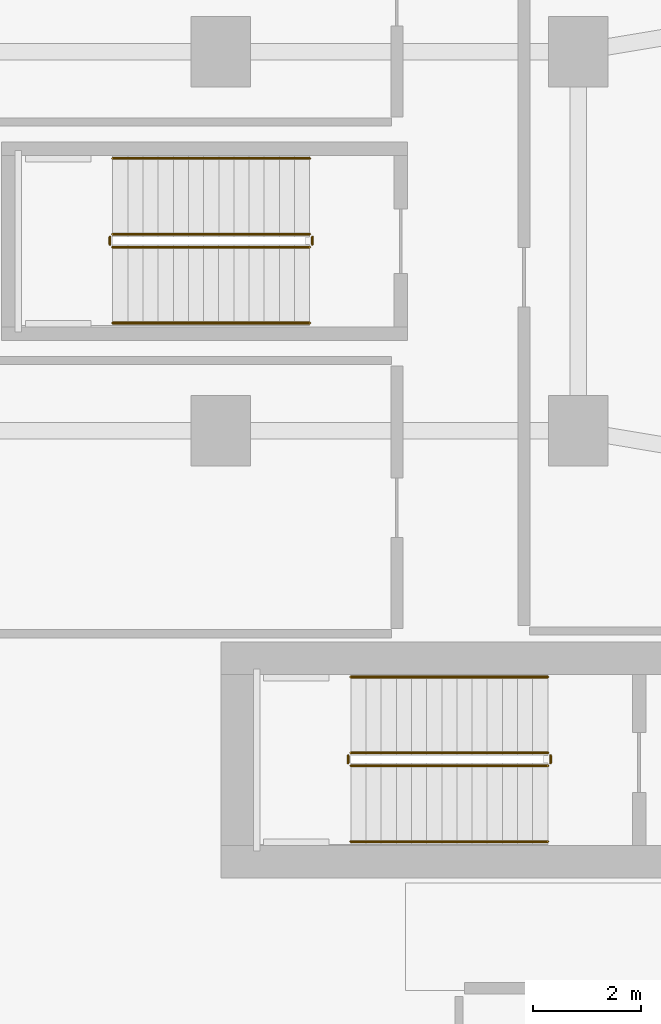
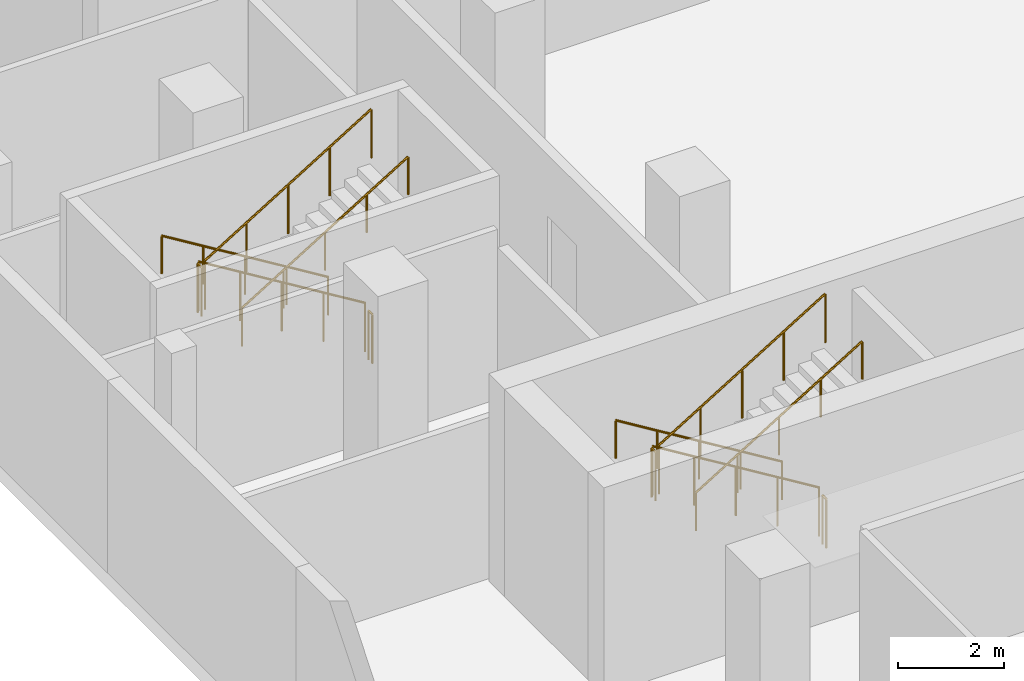
# One storey, part 18 of 23: 12 railings.
"""IFC4 building model written with IfcOpenShell, lengths in metres."""

from ifc_helpers import new_model, si_unit, derived_unit, direction, frame, origin, origin_2d, place, context, subcontext, project, spatial, circle, extrude, material, type_object, element, save


model = new_model("IFC4")

# Units and contexts
model_context = context("Model", 3, precision=1e-05, world=origin(), true_north=direction((0.0, 1.0)))
body_context = subcontext(model_context, "Body", "Model", "MODEL_VIEW")
ifc_project = project(units=[si_unit("LENGTHUNIT", "METRE"), si_unit("AREAUNIT", "SQUARE_METRE"), si_unit("VOLUMEUNIT", "CUBIC_METRE"), si_unit("PLANEANGLEUNIT", "RADIAN"), si_unit("MASSUNIT", "GRAM", prefix="KILO"), derived_unit("THERMALTRANSMITTANCEUNIT", [(si_unit("POWERUNIT", "WATT"), 1), (si_unit("LENGTHUNIT", "METRE"), -2), (si_unit("THERMODYNAMICTEMPERATUREUNIT", "KELVIN"), -1)])], contexts=[model_context])

# Site, building, storey
site_placement = place(None, origin())
site = spatial("IfcSite", under=ifc_project, at=site_placement, CompositionType="ELEMENT")
building_placement = place(site_placement, origin())
building = spatial("IfcBuilding", under=site, at=building_placement, Name="Kivonza Crest Hotel", CompositionType="ELEMENT")
storey_placement = place(building_placement, frame((0.0, 0.0, 5.39990234375)))
storey = spatial("IfcBuildingStorey", under=building, at=storey_placement, Name="L01", CompositionType="ELEMENT", Elevation=5.39990234375)

# Railings
ifc_material_1 = material(Name="Brushed stainless steel handrail", Category="steel")
railing_type_1 = type_object("IfcRailingType", Name="RL-HAND-900", PredefinedType="HANDRAIL", material=ifc_material_1)
railing_1_placement = place(storey_placement, frame((12.239990234375, 16.949951171875, 0.171630859375)))
element("IfcRailing", 1, at=railing_1_placement, inside=storey, type_object=railing_type_1, Name="L01 ST-T1-S stair handrail 1", PredefinedType="HANDRAIL", context=body_context, shape_type="SweptSolid", body=[
    extrude(circle(Radius=0.02392578125, at=origin_2d()), frame((0.0, 0.0, 0.8759765625), z_axis=(-0.852850264322, 0.0, 0.5221555579), x_axis=(0.0, -1.0, 0.0)), (0.0, 0.0, 1.0), 4.267822265625),
    extrude(circle(Radius=0.02099609375, at=origin_2d()), origin(), (0.0, 0.0, 1.0), 0.851806640625),
    extrude(circle(Radius=0.02099609375, at=origin_2d()), frame((-0.909912109375, 0.0, 0.55712890625)), (0.0, 0.0, 1.0), 0.851806640625),
    extrude(circle(Radius=0.02099609375, at=origin_2d()), frame((-1.81982421875, 0.0, 1.1142578125)), (0.0, 0.0, 1.0), 0.851806640625),
    extrude(circle(Radius=0.02099609375, at=origin_2d()), frame((-2.72998046875, 0.0, 1.67138671875)), (0.0, 0.0, 1.0), 0.851806640625),
    extrude(circle(Radius=0.02099609375, at=origin_2d()), frame((-3.639892578125, 0.0, 2.228515625)), (0.0, 0.0, 1.0), 0.851806640625),
])
railing_2_placement = place(storey_placement, frame((8.60009765625, 13.909912109375, 2.571533203125)))
element("IfcRailing", 2, at=railing_2_placement, inside=storey, type_object=railing_type_1, Name="L01 ST-T1-S stair handrail 2", PredefinedType="HANDRAIL", context=body_context, shape_type="SweptSolid", body=[
    extrude(circle(Radius=0.02392578125, at=origin_2d()), frame((0.0, 0.0, 0.8759765625), z_axis=(0.852850264322, 0.0, 0.5221555579), x_axis=(0.0, 1.0, 0.0)), (0.0, 0.0, 1.0), 4.267822265625),
    extrude(circle(Radius=0.02099609375, at=origin_2d()), origin(), (0.0, 0.0, 1.0), 0.851806640625),
    extrude(circle(Radius=0.02099609375, at=origin_2d()), frame((0.909912109375, 0.0, 0.55712890625)), (0.0, 0.0, 1.0), 0.851806640625),
    extrude(circle(Radius=0.02099609375, at=origin_2d()), frame((1.81982421875, 0.0, 1.1142578125)), (0.0, 0.0, 1.0), 0.851806640625),
    extrude(circle(Radius=0.02099609375, at=origin_2d()), frame((2.72998046875, 0.0, 1.67138671875)), (0.0, 0.0, 1.0), 0.851806640625),
    extrude(circle(Radius=0.02099609375, at=origin_2d()), frame((3.639892578125, 0.0, 2.228515625)), (0.0, 0.0, 1.0), 0.851806640625),
])
railing_3_placement = place(storey_placement, frame((7.840087890625, 26.530029296875, 0.171630859375)))
element("IfcRailing", 3, at=railing_3_placement, inside=storey, type_object=railing_type_1, Name="L01 ST-POD-W stair handrail 1", PredefinedType="HANDRAIL", context=body_context, shape_type="SweptSolid", body=[
    extrude(circle(Radius=0.02392578125, at=origin_2d()), frame((0.0, 0.0, 0.8759765625), z_axis=(-0.852865859571, 0.0, 0.52213008492), x_axis=(0.0, -1.0, 0.0)), (0.0, 0.0, 1.0), 4.26806640625),
    extrude(circle(Radius=0.02099609375, at=origin_2d()), origin(), (0.0, 0.0, 1.0), 0.851806640625),
    extrude(circle(Radius=0.02099609375, at=origin_2d()), frame((-0.91015625, 0.0, 0.55712890625)), (0.0, 0.0, 1.0), 0.851806640625),
    extrude(circle(Radius=0.02099609375, at=origin_2d()), frame((-1.820068359375, 0.0, 1.1142578125)), (0.0, 0.0, 1.0), 0.851806640625),
    extrude(circle(Radius=0.02099609375, at=origin_2d()), frame((-2.72998046875, 0.0, 1.67138671875)), (0.0, 0.0, 1.0), 0.851806640625),
    extrude(circle(Radius=0.02099609375, at=origin_2d()), frame((-3.64013671875, 0.0, 2.228515625)), (0.0, 0.0, 1.0), 0.851806640625),
])
railing_4_placement = place(storey_placement, frame((4.199951171875, 23.489990234375, 2.571533203125)))
element("IfcRailing", 4, at=railing_4_placement, inside=storey, type_object=railing_type_1, Name="L01 ST-POD-W stair handrail 2", PredefinedType="HANDRAIL", context=body_context, shape_type="SweptSolid", body=[
    extrude(circle(Radius=0.02392578125, at=origin_2d()), frame((0.0, 0.0, 0.8759765625), z_axis=(0.852865859571, 0.0, 0.52213008492), x_axis=(0.0, 1.0, 0.0)), (0.0, 0.0, 1.0), 4.26806640625),
    extrude(circle(Radius=0.02099609375, at=origin_2d()), origin(), (0.0, 0.0, 1.0), 0.851806640625),
    extrude(circle(Radius=0.02099609375, at=origin_2d()), frame((0.91015625, 0.0, 0.55712890625)), (0.0, 0.0, 1.0), 0.851806640625),
    extrude(circle(Radius=0.02099609375, at=origin_2d()), frame((1.820068359375, 0.0, 1.1142578125)), (0.0, 0.0, 1.0), 0.851806640625),
    extrude(circle(Radius=0.02099609375, at=origin_2d()), frame((2.72998046875, 0.0, 1.67138671875)), (0.0, 0.0, 1.0), 0.851806640625),
    extrude(circle(Radius=0.02099609375, at=origin_2d()), frame((3.64013671875, 0.0, 2.228515625)), (0.0, 0.0, 1.0), 0.851806640625),
])
ifc_material_2 = material(Name="Painted steel balustrade", Category="steel")
railing_type_2 = type_object("IfcRailingType", Name="RL-STAIR-1150", PredefinedType="BALUSTRADE", material=ifc_material_2)
railing_5_placement = place(storey_placement, frame((12.239990234375, 15.550048828125, 0.171630859375)))
element("IfcRailing", 5, at=railing_5_placement, inside=storey, type_object=railing_type_2, Name="L01 ST-T1-S stair guard 1", PredefinedType="BALUSTRADE", context=body_context, shape_type="SweptSolid", body=[
    extrude(circle(Radius=0.02392578125, at=origin_2d()), frame((0.0, 0.0, 1.1259765625), z_axis=(-0.852850264322, 0.0, 0.5221555579), x_axis=(0.0, -1.0, 0.0)), (0.0, 0.0, 1.0), 4.267822265625),
    extrude(circle(Radius=0.02099609375, at=origin_2d()), origin(), (0.0, 0.0, 1.0), 1.101806640625),
    extrude(circle(Radius=0.02099609375, at=origin_2d()), frame((-0.909912109375, 0.0, 0.55712890625)), (0.0, 0.0, 1.0), 1.101806640625),
    extrude(circle(Radius=0.02099609375, at=origin_2d()), frame((-1.81982421875, 0.0, 1.1142578125)), (0.0, 0.0, 1.0), 1.101806640625),
    extrude(circle(Radius=0.02099609375, at=origin_2d()), frame((-2.72998046875, 0.0, 1.67138671875)), (0.0, 0.0, 1.0), 1.101806640625),
    extrude(circle(Radius=0.02099609375, at=origin_2d()), frame((-3.639892578125, 0.0, 2.228515625)), (0.0, 0.0, 1.0), 1.101806640625),
])
railing_6_placement = place(storey_placement, frame((8.550048828125, 15.5, 2.400146484375)))
element("IfcRailing", 6, at=railing_6_placement, inside=storey, type_object=railing_type_2, Name="L01 ST-T1-S stair guard 2", PredefinedType="BALUSTRADE", context=body_context, shape_type="SweptSolid", body=[
    extrude(circle(Radius=0.02392578125, at=origin_2d()), frame((0.0, 0.0, 1.1259765625), z_axis=(0.0, -1.0, 0.0), x_axis=(1.0, 0.0, 0.0)), (0.0, 0.0, 1.0), 0.139892578125),
    extrude(circle(Radius=0.02099609375, at=origin_2d()), origin(), (0.0, 0.0, 1.0), 1.101806640625),
    extrude(circle(Radius=0.02099609375, at=origin_2d()), frame((0.0, -0.139892578125, 0.0)), (0.0, 0.0, 1.0), 1.101806640625),
])
railing_7_placement = place(storey_placement, frame((8.60009765625, 15.31005859375, 2.571533203125)))
element("IfcRailing", 7, at=railing_7_placement, inside=storey, type_object=railing_type_2, Name="L01 ST-T1-S stair guard 3", PredefinedType="BALUSTRADE", context=body_context, shape_type="SweptSolid", body=[
    extrude(circle(Radius=0.02392578125, at=origin_2d()), frame((0.0, 0.0, 1.1259765625), z_axis=(0.852850264322, 0.0, 0.5221555579), x_axis=(0.0, 1.0, 0.0)), (0.0, 0.0, 1.0), 4.267822265625),
    extrude(circle(Radius=0.02099609375, at=origin_2d()), origin(), (0.0, 0.0, 1.0), 1.101806640625),
    extrude(circle(Radius=0.02099609375, at=origin_2d()), frame((0.909912109375, 0.0, 0.55712890625)), (0.0, 0.0, 1.0), 1.101806640625),
    extrude(circle(Radius=0.02099609375, at=origin_2d()), frame((1.81982421875, 0.0, 1.1142578125)), (0.0, 0.0, 1.0), 1.101806640625),
    extrude(circle(Radius=0.02099609375, at=origin_2d()), frame((2.72998046875, 0.0, 1.67138671875)), (0.0, 0.0, 1.0), 1.101806640625),
    extrude(circle(Radius=0.02099609375, at=origin_2d()), frame((3.639892578125, 0.0, 2.228515625)), (0.0, 0.0, 1.0), 1.101806640625),
])
railing_8_placement = place(storey_placement, frame((12.2900390625, 15.5, 0.0)))
element("IfcRailing", 8, at=railing_8_placement, inside=storey, type_object=railing_type_2, Name="L01 ST-T1-S stair guard 4", PredefinedType="BALUSTRADE", context=body_context, shape_type="SweptSolid", body=[
    extrude(circle(Radius=0.02392578125, at=origin_2d()), frame((0.0, 0.0, 1.1259765625), z_axis=(0.0, -1.0, 0.0), x_axis=(1.0, 0.0, 0.0)), (0.0, 0.0, 1.0), 0.139892578125),
    extrude(circle(Radius=0.02099609375, at=origin_2d()), origin(), (0.0, 0.0, 1.0), 1.101806640625),
    extrude(circle(Radius=0.02099609375, at=origin_2d()), frame((0.0, -0.139892578125, 0.0)), (0.0, 0.0, 1.0), 1.101806640625),
])
railing_9_placement = place(storey_placement, frame((7.840087890625, 25.1298828125, 0.171630859375)))
element("IfcRailing", 9, at=railing_9_placement, inside=storey, type_object=railing_type_2, Name="L01 ST-POD-W stair guard 1", PredefinedType="BALUSTRADE", context=body_context, shape_type="SweptSolid", body=[
    extrude(circle(Radius=0.02392578125, at=origin_2d()), frame((0.0, 0.0, 1.1259765625), z_axis=(-0.852865859571, 0.0, 0.52213008492), x_axis=(0.0, -1.0, 0.0)), (0.0, 0.0, 1.0), 4.26806640625),
    extrude(circle(Radius=0.02099609375, at=origin_2d()), origin(), (0.0, 0.0, 1.0), 1.101806640625),
    extrude(circle(Radius=0.02099609375, at=origin_2d()), frame((-0.91015625, 0.0, 0.55712890625)), (0.0, 0.0, 1.0), 1.101806640625),
    extrude(circle(Radius=0.02099609375, at=origin_2d()), frame((-1.820068359375, 0.0, 1.1142578125)), (0.0, 0.0, 1.0), 1.101806640625),
    extrude(circle(Radius=0.02099609375, at=origin_2d()), frame((-2.72998046875, 0.0, 1.67138671875)), (0.0, 0.0, 1.0), 1.101806640625),
    extrude(circle(Radius=0.02099609375, at=origin_2d()), frame((-3.64013671875, 0.0, 2.228515625)), (0.0, 0.0, 1.0), 1.101806640625),
])
railing_10_placement = place(storey_placement, frame((4.14990234375, 25.080078125, 2.400146484375)))
element("IfcRailing", 10, at=railing_10_placement, inside=storey, type_object=railing_type_2, Name="L01 ST-POD-W stair guard 2", PredefinedType="BALUSTRADE", context=body_context, shape_type="SweptSolid", body=[
    extrude(circle(Radius=0.02392578125, at=origin_2d()), frame((0.0, 0.0, 1.1259765625), z_axis=(0.0, -1.0, 0.0), x_axis=(1.0, 0.0, 0.0)), (0.0, 0.0, 1.0), 0.14013671875),
    extrude(circle(Radius=0.02099609375, at=origin_2d()), origin(), (0.0, 0.0, 1.0), 1.101806640625),
    extrude(circle(Radius=0.02099609375, at=origin_2d()), frame((0.0, -0.14013671875, 0.0)), (0.0, 0.0, 1.0), 1.101806640625),
])
railing_11_placement = place(storey_placement, frame((4.199951171875, 24.889892578125, 2.571533203125)))
element("IfcRailing", 11, at=railing_11_placement, inside=storey, type_object=railing_type_2, Name="L01 ST-POD-W stair guard 3", PredefinedType="BALUSTRADE", context=body_context, shape_type="SweptSolid", body=[
    extrude(circle(Radius=0.02392578125, at=origin_2d()), frame((0.0, 0.0, 1.1259765625), z_axis=(0.852865859571, 0.0, 0.52213008492), x_axis=(0.0, 1.0, 0.0)), (0.0, 0.0, 1.0), 4.26806640625),
    extrude(circle(Radius=0.02099609375, at=origin_2d()), origin(), (0.0, 0.0, 1.0), 1.101806640625),
    extrude(circle(Radius=0.02099609375, at=origin_2d()), frame((0.91015625, 0.0, 0.55712890625)), (0.0, 0.0, 1.0), 1.101806640625),
    extrude(circle(Radius=0.02099609375, at=origin_2d()), frame((1.820068359375, 0.0, 1.1142578125)), (0.0, 0.0, 1.0), 1.101806640625),
    extrude(circle(Radius=0.02099609375, at=origin_2d()), frame((2.72998046875, 0.0, 1.67138671875)), (0.0, 0.0, 1.0), 1.101806640625),
    extrude(circle(Radius=0.02099609375, at=origin_2d()), frame((3.64013671875, 0.0, 2.228515625)), (0.0, 0.0, 1.0), 1.101806640625),
])
railing_12_placement = place(storey_placement, frame((7.889892578125, 25.080078125, 0.0)))
element("IfcRailing", 12, at=railing_12_placement, inside=storey, type_object=railing_type_2, Name="L01 ST-POD-W stair guard 4", PredefinedType="BALUSTRADE", context=body_context, shape_type="SweptSolid", body=[
    extrude(circle(Radius=0.02392578125, at=origin_2d()), frame((0.0, 0.0, 1.1259765625), z_axis=(0.0, -1.0, 0.0), x_axis=(1.0, 0.0, 0.0)), (0.0, 0.0, 1.0), 0.14013671875),
    extrude(circle(Radius=0.02099609375, at=origin_2d()), origin(), (0.0, 0.0, 1.0), 1.101806640625),
    extrude(circle(Radius=0.02099609375, at=origin_2d()), frame((0.0, -0.14013671875, 0.0)), (0.0, 0.0, 1.0), 1.101806640625),
])

save(model, "model.ifc")
